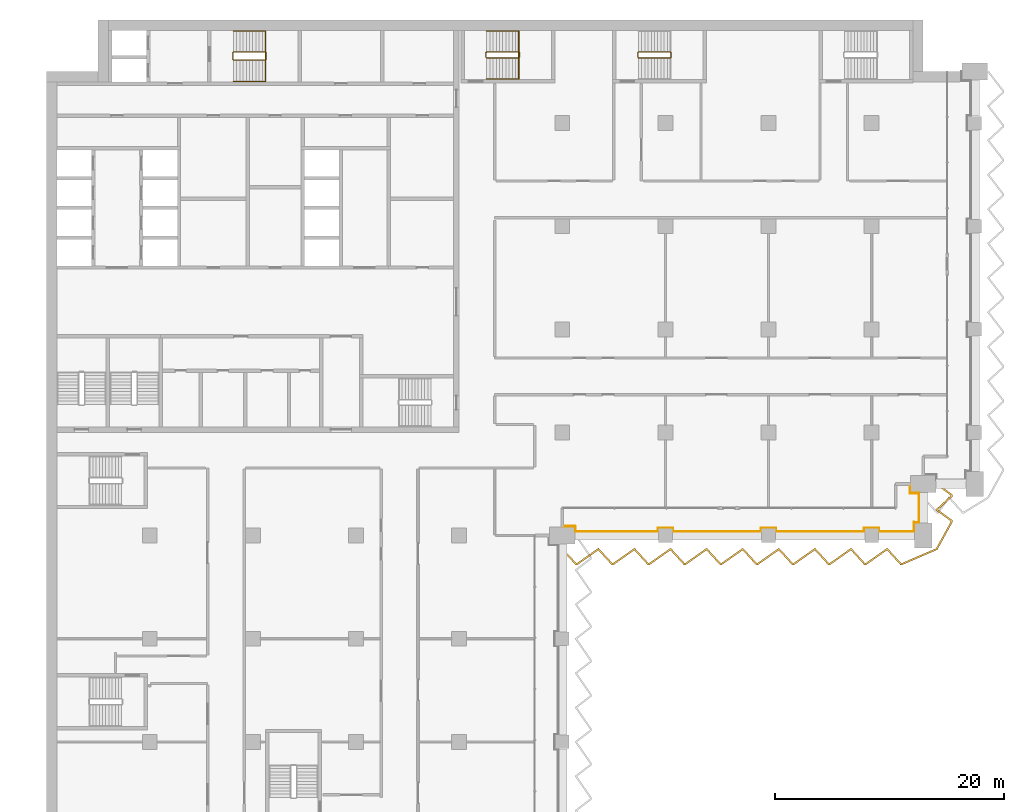
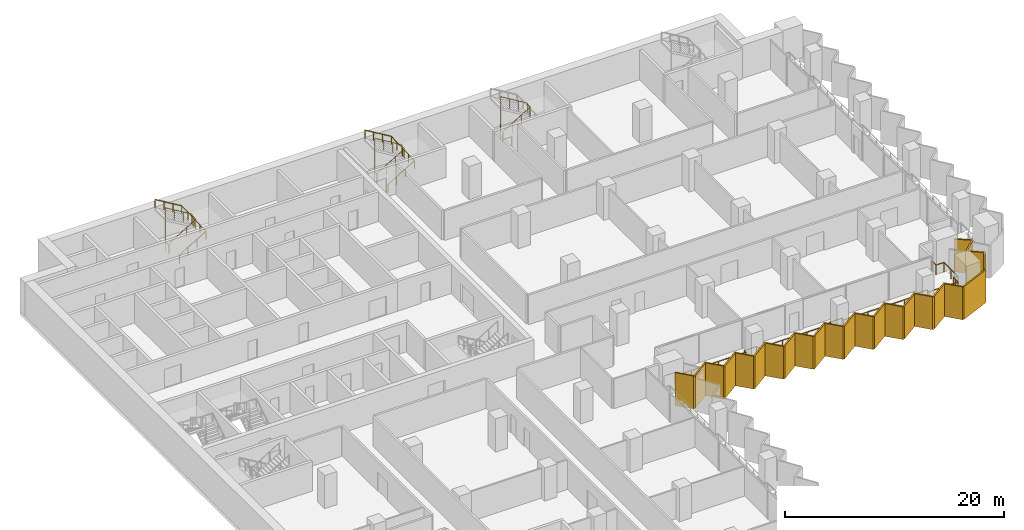
# One storey, part 21 of 22: 6 railings, 1 shading device.
"""IFC4 building model written with IfcOpenShell, lengths in metres."""

from ifc_helpers import new_model, si_unit, direction, frame, origin, origin_2d, place, context, subcontext, project, spatial, polyline, circle, outline, extrude, material, layer, layer_set, type_object, element, save


model = new_model("IFC4")

# Units and contexts
model_context = context("Model", 3, precision=1e-05, world=origin(), true_north=direction((0.0, 1.0)))
body_context = subcontext(model_context, "Body", "Model", "MODEL_VIEW")
ifc_project = project(units=[si_unit("LENGTHUNIT", "METRE"), si_unit("AREAUNIT", "SQUARE_METRE"), si_unit("VOLUMEUNIT", "CUBIC_METRE"), si_unit("PLANEANGLEUNIT", "RADIAN"), si_unit("MASSUNIT", "GRAM", prefix="KILO")], contexts=[model_context])

# Site, building, storey
site_placement = place(None, origin())
site = spatial("IfcSite", under=ifc_project, at=site_placement, CompositionType="ELEMENT")
building_placement = place(site_placement, origin())
building = spatial("IfcBuilding", under=site, at=building_placement, Name="Hunhe Ridgeline Campus", CompositionType="ELEMENT")
storey_placement = place(building_placement, frame((0.0, 0.0, 114.39990234375)))
storey = spatial("IfcBuildingStorey", under=building, at=storey_placement, Name="L28", CompositionType="ELEMENT", Elevation=114.39990234375)

# Railing
ifc_material_1 = material(Name="Steel Q355", Category="steel")
railing_type_1 = type_object("IfcRailingType", Name="Loggia guard 1100 Steel Q355", PredefinedType="GUARDRAIL", material=ifc_material_1)
railing_1_placement = place(storey_placement, frame((45.0, 54.820068359375, 0.0)))
element("IfcRailing", 1, at=railing_1_placement, inside=storey, type_object=railing_type_1, Name="Loggia guard 2", PredefinedType="GUARDRAIL", context=body_context, shape_type="SweptSolid", body=[
    extrude(circle(Radius=0.02392578125, at=origin_2d()), frame((0.0, 0.0, 1.076171875), z_axis=(1.0, 0.0, 0.0), x_axis=(0.0, 1.0, 0.0)), (0.0, 0.0, 1.0), 1.14990234375),
    extrude(circle(Radius=0.02392578125, at=origin_2d()), frame((1.14990234375, 0.0, 1.076171875), z_axis=(0.0, -1.0, 0.0), x_axis=(1.0, 0.0, 0.0)), (0.0, 0.0, 1.0), 0.469970703125),
    extrude(circle(Radius=0.02392578125, at=origin_2d()), frame((1.14990234375, -0.469970703125, 1.076171875), z_axis=(1.0, 0.0, 0.0), x_axis=(0.0, 1.0, 0.0)), (0.0, 0.0, 1.0), 7.2001953125),
    extrude(circle(Radius=0.02392578125, at=origin_2d()), frame((8.35009765625, -0.469970703125, 1.076171875), z_axis=(0.0, 1.0, 0.0), x_axis=(-1.0, 0.0, 0.0)), (0.0, 0.0, 1.0), 0.31982421875),
    extrude(circle(Radius=0.02392578125, at=origin_2d()), frame((8.35009765625, -0.150146484375, 1.076171875), z_axis=(1.0, 0.0, 0.0), x_axis=(0.0, 1.0, 0.0)), (0.0, 0.0, 1.0), 1.2998046875),
    extrude(circle(Radius=0.02392578125, at=origin_2d()), frame((9.64990234375, -0.150146484375, 1.076171875), z_axis=(0.0, -1.0, 0.0), x_axis=(1.0, 0.0, 0.0)), (0.0, 0.0, 1.0), 0.31982421875),
    extrude(circle(Radius=0.02392578125, at=origin_2d()), frame((9.64990234375, -0.469970703125, 1.076171875), z_axis=(1.0, 0.0, 0.0), x_axis=(0.0, 1.0, 0.0)), (0.0, 0.0, 1.0), 7.7001953125),
    extrude(circle(Radius=0.02392578125, at=origin_2d()), frame((17.35009765625, -0.469970703125, 1.076171875), z_axis=(0.0, 1.0, 0.0), x_axis=(-1.0, 0.0, 0.0)), (0.0, 0.0, 1.0), 0.31982421875),
    extrude(circle(Radius=0.02392578125, at=origin_2d()), frame((17.35009765625, -0.150146484375, 1.076171875), z_axis=(1.0, 0.0, 0.0), x_axis=(0.0, 1.0, 0.0)), (0.0, 0.0, 1.0), 1.2998046875),
    extrude(circle(Radius=0.02392578125, at=origin_2d()), frame((18.64990234375, -0.150146484375, 1.076171875), z_axis=(0.0, -1.0, 0.0), x_axis=(1.0, 0.0, 0.0)), (0.0, 0.0, 1.0), 0.31982421875),
    extrude(circle(Radius=0.02392578125, at=origin_2d()), frame((18.64990234375, -0.469970703125, 1.076171875), z_axis=(1.0, 0.0, 0.0), x_axis=(0.0, 1.0, 0.0)), (0.0, 0.0, 1.0), 7.7001953125),
    extrude(circle(Radius=0.02392578125, at=origin_2d()), frame((26.35009765625, -0.469970703125, 1.076171875), z_axis=(0.0, 1.0, 0.0), x_axis=(-1.0, 0.0, 0.0)), (0.0, 0.0, 1.0), 0.31982421875),
    extrude(circle(Radius=0.02392578125, at=origin_2d()), frame((26.35009765625, -0.150146484375, 1.076171875), z_axis=(1.0, 0.0, 0.0), x_axis=(0.0, 1.0, 0.0)), (0.0, 0.0, 1.0), 1.2998046875),
    extrude(circle(Radius=0.02392578125, at=origin_2d()), frame((27.64990234375, -0.150146484375, 1.076171875), z_axis=(0.0, -1.0, 0.0), x_axis=(1.0, 0.0, 0.0)), (0.0, 0.0, 1.0), 0.31982421875),
    extrude(circle(Radius=0.02392578125, at=origin_2d()), frame((27.64990234375, -0.469970703125, 1.076171875), z_axis=(1.0, 0.0, 0.0), x_axis=(0.0, 1.0, 0.0)), (0.0, 0.0, 1.0), 3.050048828125),
    extrude(circle(Radius=0.02392578125, at=origin_2d()), frame((30.699951171875, -0.469970703125, 1.076171875), z_axis=(0.0, 1.0, 0.0), x_axis=(-1.0, 0.0, 0.0)), (0.0, 0.0, 1.0), 0.81982421875),
    extrude(circle(Radius=0.02392578125, at=origin_2d()), frame((30.699951171875, 0.349853515625, 1.076171875), z_axis=(-0.057129153726, -0.99836679622, 0.0), x_axis=(0.99836679622, -0.057129153726, 0.0)), (0.0, 0.0, 1.0), 0.350341796875),
    extrude(circle(Radius=0.02392578125, at=origin_2d()), frame((30.679931640625, 0.0, 1.076171875), z_axis=(0.0, 1.0, 0.0), x_axis=(-1.0, 0.0, 0.0)), (0.0, 0.0, 1.0), 0.329833984375),
    extrude(circle(Radius=0.02392578125, at=origin_2d()), frame((30.679931640625, 0.329833984375, 1.076171875), z_axis=(1.0, 0.0, 0.0), x_axis=(0.0, 1.0, 0.0)), (0.0, 0.0, 1.0), 0.469970703125),
    extrude(circle(Radius=0.02392578125, at=origin_2d()), frame((31.14990234375, 0.329833984375, 1.076171875), z_axis=(0.0, 1.0, 0.0), x_axis=(-1.0, 0.0, 0.0)), (0.0, 0.0, 1.0), 2.550048828125),
    extrude(circle(Radius=0.02392578125, at=origin_2d()), frame((31.14990234375, 2.8798828125, 1.076171875), z_axis=(-1.0, 0.0, 0.0), x_axis=(0.0, -1.0, 0.0)), (0.0, 0.0, 1.0), 0.81982421875),
    extrude(circle(Radius=0.02392578125, at=origin_2d()), frame((30.330078125, 2.8798828125, 1.076171875), z_axis=(0.0, 1.0, 0.0), x_axis=(-1.0, 0.0, 0.0)), (0.0, 0.0, 1.0), 0.800048828125),
    extrude(circle(Radius=0.02099609375, at=origin_2d()), origin(), (0.0, 0.0, 1.0), 1.052001953125),
    extrude(circle(Radius=0.02099609375, at=origin_2d()), frame((1.14990234375, 0.0, 0.0)), (0.0, 0.0, 1.0), 1.052001953125),
    extrude(circle(Radius=0.02099609375, at=origin_2d()), frame((1.14990234375, -0.469970703125, 0.0)), (0.0, 0.0, 1.0), 1.052001953125),
    extrude(circle(Radius=0.02099609375, at=origin_2d()), frame((2.58984375, -0.469970703125, 0.0)), (0.0, 0.0, 1.0), 1.052001953125),
    extrude(circle(Radius=0.02099609375, at=origin_2d()), frame((4.030029296875, -0.469970703125, 0.0)), (0.0, 0.0, 1.0), 1.052001953125),
    extrude(circle(Radius=0.02099609375, at=origin_2d()), frame((5.469970703125, -0.469970703125, 0.0)), (0.0, 0.0, 1.0), 1.052001953125),
    extrude(circle(Radius=0.02099609375, at=origin_2d()), frame((6.91015625, -0.469970703125, 0.0)), (0.0, 0.0, 1.0), 1.052001953125),
    extrude(circle(Radius=0.02099609375, at=origin_2d()), frame((8.35009765625, -0.469970703125, 0.0)), (0.0, 0.0, 1.0), 1.052001953125),
    extrude(circle(Radius=0.02099609375, at=origin_2d()), frame((8.35009765625, -0.150146484375, 0.0)), (0.0, 0.0, 1.0), 1.052001953125),
    extrude(circle(Radius=0.02099609375, at=origin_2d()), frame((9.64990234375, -0.150146484375, 0.0)), (0.0, 0.0, 1.0), 1.052001953125),
    extrude(circle(Radius=0.02099609375, at=origin_2d()), frame((9.64990234375, -0.469970703125, 0.0)), (0.0, 0.0, 1.0), 1.052001953125),
    extrude(circle(Radius=0.02099609375, at=origin_2d()), frame((10.933349609375, -0.469970703125, 0.0)), (0.0, 0.0, 1.0), 1.052001953125),
    extrude(circle(Radius=0.02099609375, at=origin_2d()), frame((12.216552734375, -0.469970703125, 0.0)), (0.0, 0.0, 1.0), 1.052001953125),
    extrude(circle(Radius=0.02099609375, at=origin_2d()), frame((13.5, -0.469970703125, 0.0)), (0.0, 0.0, 1.0), 1.052001953125),
    extrude(circle(Radius=0.02099609375, at=origin_2d()), frame((14.783447265625, -0.469970703125, 0.0)), (0.0, 0.0, 1.0), 1.052001953125),
    extrude(circle(Radius=0.02099609375, at=origin_2d()), frame((16.066650390625, -0.469970703125, 0.0)), (0.0, 0.0, 1.0), 1.052001953125),
    extrude(circle(Radius=0.02099609375, at=origin_2d()), frame((17.35009765625, -0.469970703125, 0.0)), (0.0, 0.0, 1.0), 1.052001953125),
    extrude(circle(Radius=0.02099609375, at=origin_2d()), frame((17.35009765625, -0.150146484375, 0.0)), (0.0, 0.0, 1.0), 1.052001953125),
    extrude(circle(Radius=0.02099609375, at=origin_2d()), frame((18.64990234375, -0.150146484375, 0.0)), (0.0, 0.0, 1.0), 1.052001953125),
    extrude(circle(Radius=0.02099609375, at=origin_2d()), frame((18.64990234375, -0.469970703125, 0.0)), (0.0, 0.0, 1.0), 1.052001953125),
    extrude(circle(Radius=0.02099609375, at=origin_2d()), frame((19.933349609375, -0.469970703125, 0.0)), (0.0, 0.0, 1.0), 1.052001953125),
    extrude(circle(Radius=0.02099609375, at=origin_2d()), frame((21.216552734375, -0.469970703125, 0.0)), (0.0, 0.0, 1.0), 1.052001953125),
    extrude(circle(Radius=0.02099609375, at=origin_2d()), frame((22.5, -0.469970703125, 0.0)), (0.0, 0.0, 1.0), 1.052001953125),
    extrude(circle(Radius=0.02099609375, at=origin_2d()), frame((23.783447265625, -0.469970703125, 0.0)), (0.0, 0.0, 1.0), 1.052001953125),
    extrude(circle(Radius=0.02099609375, at=origin_2d()), frame((25.066650390625, -0.469970703125, 0.0)), (0.0, 0.0, 1.0), 1.052001953125),
    extrude(circle(Radius=0.02099609375, at=origin_2d()), frame((26.35009765625, -0.469970703125, 0.0)), (0.0, 0.0, 1.0), 1.052001953125),
    extrude(circle(Radius=0.02099609375, at=origin_2d()), frame((26.35009765625, -0.150146484375, 0.0)), (0.0, 0.0, 1.0), 1.052001953125),
    extrude(circle(Radius=0.02099609375, at=origin_2d()), frame((27.64990234375, -0.150146484375, 0.0)), (0.0, 0.0, 1.0), 1.052001953125),
    extrude(circle(Radius=0.02099609375, at=origin_2d()), frame((27.64990234375, -0.469970703125, 0.0)), (0.0, 0.0, 1.0), 1.052001953125),
    extrude(circle(Radius=0.02099609375, at=origin_2d()), frame((28.66650390625, -0.469970703125, 0.0)), (0.0, 0.0, 1.0), 1.052001953125),
    extrude(circle(Radius=0.02099609375, at=origin_2d()), frame((29.683349609375, -0.469970703125, 0.0)), (0.0, 0.0, 1.0), 1.052001953125),
    extrude(circle(Radius=0.02099609375, at=origin_2d()), frame((30.699951171875, -0.469970703125, 0.0)), (0.0, 0.0, 1.0), 1.052001953125),
    extrude(circle(Radius=0.02099609375, at=origin_2d()), frame((30.699951171875, 0.349853515625, 0.0)), (0.0, 0.0, 1.0), 1.052001953125),
    extrude(circle(Radius=0.02099609375, at=origin_2d()), frame((30.679931640625, 0.0, 0.0)), (0.0, 0.0, 1.0), 1.052001953125),
    extrude(circle(Radius=0.02099609375, at=origin_2d()), frame((30.679931640625, 0.329833984375, 0.0)), (0.0, 0.0, 1.0), 1.052001953125),
    extrude(circle(Radius=0.02099609375, at=origin_2d()), frame((31.14990234375, 0.329833984375, 0.0)), (0.0, 0.0, 1.0), 1.052001953125),
    extrude(circle(Radius=0.02099609375, at=origin_2d()), frame((31.14990234375, 1.60498046875, 0.0)), (0.0, 0.0, 1.0), 1.052001953125),
    extrude(circle(Radius=0.02099609375, at=origin_2d()), frame((31.14990234375, 2.8798828125, 0.0)), (0.0, 0.0, 1.0), 1.052001953125),
    extrude(circle(Radius=0.02099609375, at=origin_2d()), frame((30.330078125, 2.8798828125, 0.0)), (0.0, 0.0, 1.0), 1.052001953125),
    extrude(circle(Radius=0.02099609375, at=origin_2d()), frame((30.330078125, 3.679931640625, 0.0)), (0.0, 0.0, 1.0), 1.052001953125),
])

# Shading device
ifc_material_2 = material(Name="Concrete C50", Category="concrete")
ifc_layer = layer(ifc_material_2, 0.14990234375)
ifc_layer_set = layer_set([ifc_layer], Name="Sawtooth concrete fin 150 Concrete C50")
shading_device_type = type_object("IfcShadingDeviceType", Name="Sawtooth concrete fin 150 Concrete C50", PredefinedType="USERDEFINED", material=ifc_layer_set)
shading_device_placement = place(storey_placement, frame((0.0, 0.0, -0.949951171875)))
element("IfcShadingDevice", 2, at=shading_device_placement, inside=storey, type_object=shading_device_type, Name="Concrete fin screen 2", ObjectType="FIN", PredefinedType="USERDEFINED", context=body_context, shape_type="SweptSolid", body=[
    extrude(outline(polyline([(45.055419921875, 52.87548828125), (44.944580078125, 52.7744140625), (46.15283203125, 51.449951171875), (46.329833984375, 51.449951171875), (48.13916015625, 52.7255859375), (49.302978515625, 51.449951171875), (49.479736328125, 51.449951171875), (51.2890625, 52.7255859375), (52.452880859375, 51.449951171875), (52.6298828125, 51.449951171875), (54.439208984375, 52.7255859375), (55.60302734375, 51.449951171875), (55.77978515625, 51.449951171875), (57.589111328125, 52.7255859375), (58.7529296875, 51.449951171875), (58.9296875, 51.449951171875), (60.7392578125, 52.7255859375), (61.90283203125, 51.449951171875), (62.079833984375, 51.449951171875), (63.88916015625, 52.7255859375), (65.052978515625, 51.449951171875), (65.229736328125, 51.449951171875), (67.0390625, 52.7255859375), (68.202880859375, 51.449951171875), (68.3798828125, 51.449951171875), (70.189208984375, 52.7255859375), (71.35302734375, 51.449951171875), (71.52978515625, 51.449951171875), (73.339111328125, 52.7255859375), (74.5029296875, 51.449951171875), (74.67138671875, 51.449951171875), (77.728271484375, 52.766357421875), (79.050048828125, 55.166748046875), (79.050048828125, 55.34423828125), (77.79345703125, 56.256591796875), (79.050048828125, 57.40283203125), (79.050048828125, 57.59423828125), (77.718994140625, 58.560791015625), (77.630859375, 58.439208984375), (78.89990234375, 57.517822265625), (78.89990234375, 57.46923828125), (77.556396484375, 56.243408203125), (78.89990234375, 55.267822265625), (78.89990234375, 55.205322265625), (77.621826171875, 52.8837890625), (74.640625, 51.60009765625), (74.569091796875, 51.60009765625), (73.36083984375, 52.92431640625), (71.482177734375, 51.60009765625), (71.419189453125, 51.60009765625), (70.2109375, 52.92431640625), (68.332275390625, 51.60009765625), (68.26904296875, 51.60009765625), (67.060791015625, 52.92431640625), (65.18212890625, 51.60009765625), (65.119140625, 51.60009765625), (63.910888671875, 52.92431640625), (62.0322265625, 51.60009765625), (61.96923828125, 51.60009765625), (60.7607421875, 52.92431640625), (58.88232421875, 51.60009765625), (58.819091796875, 51.60009765625), (57.61083984375, 52.92431640625), (55.732177734375, 51.60009765625), (55.669189453125, 51.60009765625), (54.4609375, 52.92431640625), (52.582275390625, 51.60009765625), (52.51904296875, 51.60009765625), (51.310791015625, 52.92431640625), (49.43212890625, 51.60009765625), (49.369140625, 51.60009765625), (48.160888671875, 52.92431640625), (46.2822265625, 51.60009765625), (46.21923828125, 51.60009765625), (45.055419921875, 52.87548828125)])), origin(), (0.0, 0.0, 1.0), 3.650146484375),
])

# Railings
ifc_material_3 = material(Name="Stainless steel balustrade", Category="steel")
railing_type_2 = type_object("IfcRailingType", Name="Stair guard 1100 stainless", PredefinedType="GUARDRAIL", material=ifc_material_3)
railing_2_placement = place(storey_placement, frame((16.300048828125, 95.5, 0.168212890625)))
element("IfcRailing", 3, at=railing_2_placement, inside=storey, type_object=railing_type_2, Name="L28 stair S1 guard", PredefinedType="GUARDRAIL", context=body_context, shape_type="SweptSolid", body=[
    extrude(circle(Radius=0.02392578125, at=origin_2d()), frame((0.0, 0.0, 1.076171875), z_axis=(0.857242210791, 0.0, 0.514913383045), x_axis=(0.0, 1.0, 0.0)), (0.0, 0.0, 1.0), 3.266357421875),
    extrude(circle(Radius=0.02392578125, at=origin_2d()), frame((2.800048828125, 0.0, 2.7578125), z_axis=(0.705375805398, 0.708833529934, 0.0), x_axis=(-0.708833529934, 0.705375805398, 0.0)), (0.0, 0.0, 1.0), 0.070556640625),
    extrude(circle(Radius=0.02392578125, at=origin_2d()), frame((2.849853515625, 0.050048828125, 2.7578125), z_axis=(0.0, 1.0, 0.0), x_axis=(-1.0, 0.0, 0.0)), (0.0, 0.0, 1.0), 0.599853515625),
    extrude(circle(Radius=0.02392578125, at=origin_2d()), frame((2.849853515625, 0.64990234375, 2.7578125), z_axis=(-0.273006030465, 0.27434429532, 0.922064485248), x_axis=(-0.708833529934, -0.705375805398, 0.0)), (0.0, 0.0, 1.0), 0.182373046875),
    extrude(circle(Radius=0.02392578125, at=origin_2d()), frame((2.800048828125, 0.699951171875, 2.92626953125), z_axis=(-0.857242210791, 0.0, 0.514913383045), x_axis=(0.0, -1.0, 0.0)), (0.0, 0.0, 1.0), 3.266357421875),
    extrude(circle(Radius=0.02392578125, at=origin_2d()), frame((0.0, 0.699951171875, 4.60791015625), z_axis=(-0.013523522368, -0.013523522368, -0.999817097616), x_axis=(0.707106781187, -0.707106781187, 0.0)), (0.0, 0.0, 1.0), 3.700927734375),
    extrude(circle(Radius=0.02392578125, at=origin_2d()), frame((-0.050048828125, 0.64990234375, 0.90771484375), z_axis=(0.0, -1.0, 0.0), x_axis=(1.0, 0.0, 0.0)), (0.0, 0.0, 1.0), 0.599853515625),
    extrude(circle(Radius=0.02099609375, at=origin_2d()), origin(), (0.0, 0.0, 1.0), 1.052001953125),
    extrude(circle(Radius=0.02099609375, at=origin_2d()), frame((0.933349609375, 0.0, 0.560546875)), (0.0, 0.0, 1.0), 1.052001953125),
    extrude(circle(Radius=0.02099609375, at=origin_2d()), frame((1.86669921875, 0.0, 1.121337890625)), (0.0, 0.0, 1.0), 1.052001953125),
    extrude(circle(Radius=0.02099609375, at=origin_2d()), frame((2.800048828125, 0.0, 1.681884765625)), (0.0, 0.0, 1.0), 1.052001953125),
    extrude(circle(Radius=0.02099609375, at=origin_2d()), frame((2.849853515625, 0.050048828125, 1.681884765625)), (0.0, 0.0, 1.0), 1.052001953125),
    extrude(circle(Radius=0.02099609375, at=origin_2d()), frame((2.849853515625, 0.64990234375, 1.681884765625)), (0.0, 0.0, 1.0), 1.052001953125),
    extrude(circle(Radius=0.02099609375, at=origin_2d()), frame((2.800048828125, 0.699951171875, 1.85009765625)), (0.0, 0.0, 1.0), 1.052001953125),
    extrude(circle(Radius=0.02099609375, at=origin_2d()), frame((1.86669921875, 0.699951171875, 2.41064453125)), (0.0, 0.0, 1.0), 1.052001953125),
    extrude(circle(Radius=0.02099609375, at=origin_2d()), frame((0.933349609375, 0.699951171875, 2.971435546875)), (0.0, 0.0, 1.0), 1.052001953125),
    extrude(circle(Radius=0.02099609375, at=origin_2d()), frame((0.0, 0.699951171875, 3.531982421875)), (0.0, 0.0, 1.0), 1.052001953125),
    extrude(circle(Radius=0.02099609375, at=origin_2d()), frame((-0.012451171875, 0.6875, 2.60693359375)), (0.0, 0.0, 1.0), 1.052001953125),
    extrude(circle(Radius=0.02099609375, at=origin_2d()), frame((-0.02490234375, 0.6748046875, 1.681884765625)), (0.0, 0.0, 1.0), 1.052001953125),
    extrude(circle(Radius=0.02099609375, at=origin_2d()), frame((-0.03759765625, 0.662353515625, 0.7568359375)), (0.0, 0.0, 1.0), 1.052001953125),
    extrude(circle(Radius=0.02099609375, at=origin_2d()), frame((-0.050048828125, 0.64990234375, -0.168212890625)), (0.0, 0.0, 1.0), 1.052001953125),
    extrude(circle(Radius=0.02099609375, at=origin_2d()), frame((-0.050048828125, 0.050048828125, -0.168212890625)), (0.0, 0.0, 1.0), 1.052001953125),
])
railing_3_placement = place(storey_placement, frame((38.39990234375, 95.699951171875, 0.168212890625)))
element("IfcRailing", 4, at=railing_3_placement, inside=storey, type_object=railing_type_2, Name="L28 stair E1 guard", PredefinedType="GUARDRAIL", context=body_context, shape_type="SweptSolid", body=[
    extrude(circle(Radius=0.02392578125, at=origin_2d()), frame((0.0, 0.0, 1.076171875), z_axis=(0.857242210791, 0.0, 0.514913383045), x_axis=(0.0, 1.0, 0.0)), (0.0, 0.0, 1.0), 3.266357421875),
    extrude(circle(Radius=0.02392578125, at=origin_2d()), frame((2.800048828125, 0.0, 2.7578125), z_axis=(0.707106781187, 0.707106781187, 0.0), x_axis=(-0.707106781187, 0.707106781187, 0.0)), (0.0, 0.0, 1.0), 0.07080078125),
    extrude(circle(Radius=0.02392578125, at=origin_2d()), frame((2.85009765625, 0.050048828125, 2.7578125), z_axis=(0.0, 1.0, 0.0), x_axis=(-1.0, 0.0, 0.0)), (0.0, 0.0, 1.0), 0.39990234375),
    extrude(circle(Radius=0.02392578125, at=origin_2d()), frame((2.85009765625, 0.449951171875, 2.7578125), z_axis=(-0.274243871929, 0.274243871929, 0.92172696468), x_axis=(-0.707106781187, -0.707106781187, 0.0)), (0.0, 0.0, 1.0), 0.1826171875),
    extrude(circle(Radius=0.02392578125, at=origin_2d()), frame((2.800048828125, 0.5, 2.92626953125), z_axis=(-0.857242210791, 0.0, 0.514913383045), x_axis=(0.0, -1.0, 0.0)), (0.0, 0.0, 1.0), 3.266357421875),
    extrude(circle(Radius=0.02392578125, at=origin_2d()), frame((0.0, 0.5, 4.60791015625), z_axis=(-0.013457565943, -0.013523534403, -0.999817987404), x_axis=(0.708833529934, -0.705375805398, 0.0)), (0.0, 0.0, 1.0), 3.700927734375),
    extrude(circle(Radius=0.02392578125, at=origin_2d()), frame((-0.0498046875, 0.449951171875, 0.90771484375), z_axis=(0.0, -1.0, 0.0), x_axis=(1.0, 0.0, 0.0)), (0.0, 0.0, 1.0), 0.39990234375),
    extrude(circle(Radius=0.02099609375, at=origin_2d()), origin(), (0.0, 0.0, 1.0), 1.052001953125),
    extrude(circle(Radius=0.02099609375, at=origin_2d()), frame((0.933349609375, 0.0, 0.560546875)), (0.0, 0.0, 1.0), 1.052001953125),
    extrude(circle(Radius=0.02099609375, at=origin_2d()), frame((1.86669921875, 0.0, 1.121337890625)), (0.0, 0.0, 1.0), 1.052001953125),
    extrude(circle(Radius=0.02099609375, at=origin_2d()), frame((2.800048828125, 0.0, 1.681884765625)), (0.0, 0.0, 1.0), 1.052001953125),
    extrude(circle(Radius=0.02099609375, at=origin_2d()), frame((2.85009765625, 0.050048828125, 1.681884765625)), (0.0, 0.0, 1.0), 1.052001953125),
    extrude(circle(Radius=0.02099609375, at=origin_2d()), frame((2.85009765625, 0.449951171875, 1.681884765625)), (0.0, 0.0, 1.0), 1.052001953125),
    extrude(circle(Radius=0.02099609375, at=origin_2d()), frame((2.800048828125, 0.5, 1.85009765625)), (0.0, 0.0, 1.0), 1.052001953125),
    extrude(circle(Radius=0.02099609375, at=origin_2d()), frame((1.86669921875, 0.5, 2.41064453125)), (0.0, 0.0, 1.0), 1.052001953125),
    extrude(circle(Radius=0.02099609375, at=origin_2d()), frame((0.933349609375, 0.5, 2.971435546875)), (0.0, 0.0, 1.0), 1.052001953125),
    extrude(circle(Radius=0.02099609375, at=origin_2d()), frame((0.0, 0.5, 3.531982421875)), (0.0, 0.0, 1.0), 1.052001953125),
    extrude(circle(Radius=0.02099609375, at=origin_2d()), frame((-0.012451171875, 0.487548828125, 2.60693359375)), (0.0, 0.0, 1.0), 1.052001953125),
    extrude(circle(Radius=0.02099609375, at=origin_2d()), frame((-0.02490234375, 0.47509765625, 1.681884765625)), (0.0, 0.0, 1.0), 1.052001953125),
    extrude(circle(Radius=0.02099609375, at=origin_2d()), frame((-0.037353515625, 0.46240234375, 0.7568359375)), (0.0, 0.0, 1.0), 1.052001953125),
    extrude(circle(Radius=0.02099609375, at=origin_2d()), frame((-0.0498046875, 0.449951171875, -0.168212890625)), (0.0, 0.0, 1.0), 1.052001953125),
    extrude(circle(Radius=0.02099609375, at=origin_2d()), frame((-0.0498046875, 0.050048828125, -0.168212890625)), (0.0, 0.0, 1.0), 1.052001953125),
])
railing_4_placement = place(storey_placement, frame((51.64990234375, 95.699951171875, 0.168212890625)))
element("IfcRailing", 5, at=railing_4_placement, inside=storey, type_object=railing_type_2, Name="L28 stair E2 guard", PredefinedType="GUARDRAIL", context=body_context, shape_type="SweptSolid", body=[
    extrude(circle(Radius=0.02392578125, at=origin_2d()), frame((0.0, 0.0, 1.076171875), z_axis=(0.857242210791, 0.0, 0.514913383045), x_axis=(0.0, 1.0, 0.0)), (0.0, 0.0, 1.0), 3.266357421875),
    extrude(circle(Radius=0.02392578125, at=origin_2d()), frame((2.800048828125, 0.0, 2.7578125), z_axis=(0.707106781187, 0.707106781187, 0.0), x_axis=(-0.707106781187, 0.707106781187, 0.0)), (0.0, 0.0, 1.0), 0.07080078125),
    extrude(circle(Radius=0.02392578125, at=origin_2d()), frame((2.85009765625, 0.050048828125, 2.7578125), z_axis=(0.0, 1.0, 0.0), x_axis=(-1.0, 0.0, 0.0)), (0.0, 0.0, 1.0), 0.39990234375),
    extrude(circle(Radius=0.02392578125, at=origin_2d()), frame((2.85009765625, 0.449951171875, 2.7578125), z_axis=(-0.274243871929, 0.274243871929, 0.92172696468), x_axis=(-0.707106781187, -0.707106781187, 0.0)), (0.0, 0.0, 1.0), 0.1826171875),
    extrude(circle(Radius=0.02392578125, at=origin_2d()), frame((2.800048828125, 0.5, 2.92626953125), z_axis=(-0.857242210791, 0.0, 0.514913383045), x_axis=(0.0, -1.0, 0.0)), (0.0, 0.0, 1.0), 3.266357421875),
    extrude(circle(Radius=0.02392578125, at=origin_2d()), frame((0.0, 0.5, 4.60791015625), z_axis=(-0.013457565943, -0.013523534403, -0.999817987404), x_axis=(0.708833529934, -0.705375805398, 0.0)), (0.0, 0.0, 1.0), 3.700927734375),
    extrude(circle(Radius=0.02392578125, at=origin_2d()), frame((-0.0498046875, 0.449951171875, 0.90771484375), z_axis=(0.0, -1.0, 0.0), x_axis=(1.0, 0.0, 0.0)), (0.0, 0.0, 1.0), 0.39990234375),
    extrude(circle(Radius=0.02099609375, at=origin_2d()), origin(), (0.0, 0.0, 1.0), 1.052001953125),
    extrude(circle(Radius=0.02099609375, at=origin_2d()), frame((0.933349609375, 0.0, 0.560546875)), (0.0, 0.0, 1.0), 1.052001953125),
    extrude(circle(Radius=0.02099609375, at=origin_2d()), frame((1.86669921875, 0.0, 1.121337890625)), (0.0, 0.0, 1.0), 1.052001953125),
    extrude(circle(Radius=0.02099609375, at=origin_2d()), frame((2.800048828125, 0.0, 1.681884765625)), (0.0, 0.0, 1.0), 1.052001953125),
    extrude(circle(Radius=0.02099609375, at=origin_2d()), frame((2.85009765625, 0.050048828125, 1.681884765625)), (0.0, 0.0, 1.0), 1.052001953125),
    extrude(circle(Radius=0.02099609375, at=origin_2d()), frame((2.85009765625, 0.449951171875, 1.681884765625)), (0.0, 0.0, 1.0), 1.052001953125),
    extrude(circle(Radius=0.02099609375, at=origin_2d()), frame((2.800048828125, 0.5, 1.85009765625)), (0.0, 0.0, 1.0), 1.052001953125),
    extrude(circle(Radius=0.02099609375, at=origin_2d()), frame((1.86669921875, 0.5, 2.41064453125)), (0.0, 0.0, 1.0), 1.052001953125),
    extrude(circle(Radius=0.02099609375, at=origin_2d()), frame((0.933349609375, 0.5, 2.971435546875)), (0.0, 0.0, 1.0), 1.052001953125),
    extrude(circle(Radius=0.02099609375, at=origin_2d()), frame((0.0, 0.5, 3.531982421875)), (0.0, 0.0, 1.0), 1.052001953125),
    extrude(circle(Radius=0.02099609375, at=origin_2d()), frame((-0.012451171875, 0.487548828125, 2.60693359375)), (0.0, 0.0, 1.0), 1.052001953125),
    extrude(circle(Radius=0.02099609375, at=origin_2d()), frame((-0.02490234375, 0.47509765625, 1.681884765625)), (0.0, 0.0, 1.0), 1.052001953125),
    extrude(circle(Radius=0.02099609375, at=origin_2d()), frame((-0.037353515625, 0.46240234375, 0.7568359375)), (0.0, 0.0, 1.0), 1.052001953125),
    extrude(circle(Radius=0.02099609375, at=origin_2d()), frame((-0.0498046875, 0.449951171875, -0.168212890625)), (0.0, 0.0, 1.0), 1.052001953125),
    extrude(circle(Radius=0.02099609375, at=origin_2d()), frame((-0.0498046875, 0.050048828125, -0.168212890625)), (0.0, 0.0, 1.0), 1.052001953125),
])
ifc_material_4 = material(Name="Stainless steel handrail", Category="steel")
railing_type_3 = type_object("IfcRailingType", Name="Stair handrail 900 stainless", PredefinedType="HANDRAIL", material=ifc_material_4)
railing_5_placement = place(storey_placement, frame((16.300048828125, 93.64990234375, 0.168212890625)))
element("IfcRailing", 6, at=railing_5_placement, inside=storey, type_object=railing_type_3, Name="L28 stair S1 handrail", PredefinedType="HANDRAIL", context=body_context, shape_type="SweptSolid", body=[
    extrude(circle(Radius=0.02392578125, at=origin_2d()), frame((0.0, 0.0, 0.8759765625), z_axis=(0.857242210791, 0.0, 0.514913383045), x_axis=(0.0, 1.0, 0.0)), (0.0, 0.0, 1.0), 3.266357421875),
    extrude(circle(Radius=0.02392578125, at=origin_2d()), frame((2.800048828125, 0.0, 2.5576171875), z_axis=(0.0, 0.999270074432, 0.038201025428), x_axis=(-1.0, 0.0, 0.0)), (0.0, 0.0, 1.0), 4.4033203125),
    extrude(circle(Radius=0.02392578125, at=origin_2d()), frame((2.800048828125, 4.400146484375, 2.72607421875), z_axis=(-0.857242210791, 0.0, 0.514913383045), x_axis=(0.0, -1.0, 0.0)), (0.0, 0.0, 1.0), 3.266357421875),
    extrude(circle(Radius=0.02099609375, at=origin_2d()), origin(), (0.0, 0.0, 1.0), 0.851806640625),
    extrude(circle(Radius=0.02099609375, at=origin_2d()), frame((0.933349609375, 0.0, 0.560546875)), (0.0, 0.0, 1.0), 0.851806640625),
    extrude(circle(Radius=0.02099609375, at=origin_2d()), frame((1.86669921875, 0.0, 1.121337890625)), (0.0, 0.0, 1.0), 0.851806640625),
    extrude(circle(Radius=0.02099609375, at=origin_2d()), frame((2.800048828125, 0.0, 1.681884765625)), (0.0, 0.0, 1.0), 0.851806640625),
    extrude(circle(Radius=0.02099609375, at=origin_2d()), frame((2.800048828125, 1.10009765625, 1.723876953125)), (0.0, 0.0, 1.0), 0.851806640625),
    extrude(circle(Radius=0.02099609375, at=origin_2d()), frame((2.800048828125, 2.2001953125, 1.76611328125)), (0.0, 0.0, 1.0), 0.851806640625),
    extrude(circle(Radius=0.02099609375, at=origin_2d()), frame((2.800048828125, 3.300048828125, 1.80810546875)), (0.0, 0.0, 1.0), 0.851806640625),
    extrude(circle(Radius=0.02099609375, at=origin_2d()), frame((2.800048828125, 4.400146484375, 1.85009765625)), (0.0, 0.0, 1.0), 0.851806640625),
    extrude(circle(Radius=0.02099609375, at=origin_2d()), frame((1.86669921875, 4.400146484375, 2.41064453125)), (0.0, 0.0, 1.0), 0.851806640625),
    extrude(circle(Radius=0.02099609375, at=origin_2d()), frame((0.933349609375, 4.400146484375, 2.971435546875)), (0.0, 0.0, 1.0), 0.851806640625),
    extrude(circle(Radius=0.02099609375, at=origin_2d()), frame((0.0, 4.400146484375, 3.531982421875)), (0.0, 0.0, 1.0), 0.851806640625),
])
railing_6_placement = place(storey_placement, frame((38.39990234375, 93.85009765625, 0.168212890625)))
element("IfcRailing", 7, at=railing_6_placement, inside=storey, type_object=railing_type_3, Name="L28 stair E1 handrail", PredefinedType="HANDRAIL", context=body_context, shape_type="SweptSolid", body=[
    extrude(circle(Radius=0.02392578125, at=origin_2d()), frame((0.0, 0.0, 0.8759765625), z_axis=(0.857242210791, 0.0, 0.514913383045), x_axis=(0.0, 1.0, 0.0)), (0.0, 0.0, 1.0), 3.266357421875),
    extrude(circle(Radius=0.02392578125, at=origin_2d()), frame((2.800048828125, 0.0, 2.5576171875), z_axis=(0.0, 0.999198916169, 0.040019069537), x_axis=(-1.0, 0.0, 0.0)), (0.0, 0.0, 1.0), 4.203369140625),
    extrude(circle(Radius=0.02392578125, at=origin_2d()), frame((2.800048828125, 4.199951171875, 2.72607421875), z_axis=(-0.857242210791, 0.0, 0.514913383045), x_axis=(0.0, -1.0, 0.0)), (0.0, 0.0, 1.0), 3.266357421875),
    extrude(circle(Radius=0.02099609375, at=origin_2d()), origin(), (0.0, 0.0, 1.0), 0.851806640625),
    extrude(circle(Radius=0.02099609375, at=origin_2d()), frame((0.933349609375, 0.0, 0.560546875)), (0.0, 0.0, 1.0), 0.851806640625),
    extrude(circle(Radius=0.02099609375, at=origin_2d()), frame((1.86669921875, 0.0, 1.121337890625)), (0.0, 0.0, 1.0), 0.851806640625),
    extrude(circle(Radius=0.02099609375, at=origin_2d()), frame((2.800048828125, 0.0, 1.681884765625)), (0.0, 0.0, 1.0), 0.851806640625),
    extrude(circle(Radius=0.02099609375, at=origin_2d()), frame((2.800048828125, 1.050048828125, 1.723876953125)), (0.0, 0.0, 1.0), 0.851806640625),
    extrude(circle(Radius=0.02099609375, at=origin_2d()), frame((2.800048828125, 2.10009765625, 1.76611328125)), (0.0, 0.0, 1.0), 0.851806640625),
    extrude(circle(Radius=0.02099609375, at=origin_2d()), frame((2.800048828125, 3.14990234375, 1.80810546875)), (0.0, 0.0, 1.0), 0.851806640625),
    extrude(circle(Radius=0.02099609375, at=origin_2d()), frame((2.800048828125, 4.199951171875, 1.85009765625)), (0.0, 0.0, 1.0), 0.851806640625),
    extrude(circle(Radius=0.02099609375, at=origin_2d()), frame((1.86669921875, 4.199951171875, 2.41064453125)), (0.0, 0.0, 1.0), 0.851806640625),
    extrude(circle(Radius=0.02099609375, at=origin_2d()), frame((0.933349609375, 4.199951171875, 2.971435546875)), (0.0, 0.0, 1.0), 0.851806640625),
    extrude(circle(Radius=0.02099609375, at=origin_2d()), frame((0.0, 4.199951171875, 3.531982421875)), (0.0, 0.0, 1.0), 0.851806640625),
])

save(model, "model.ifc")
